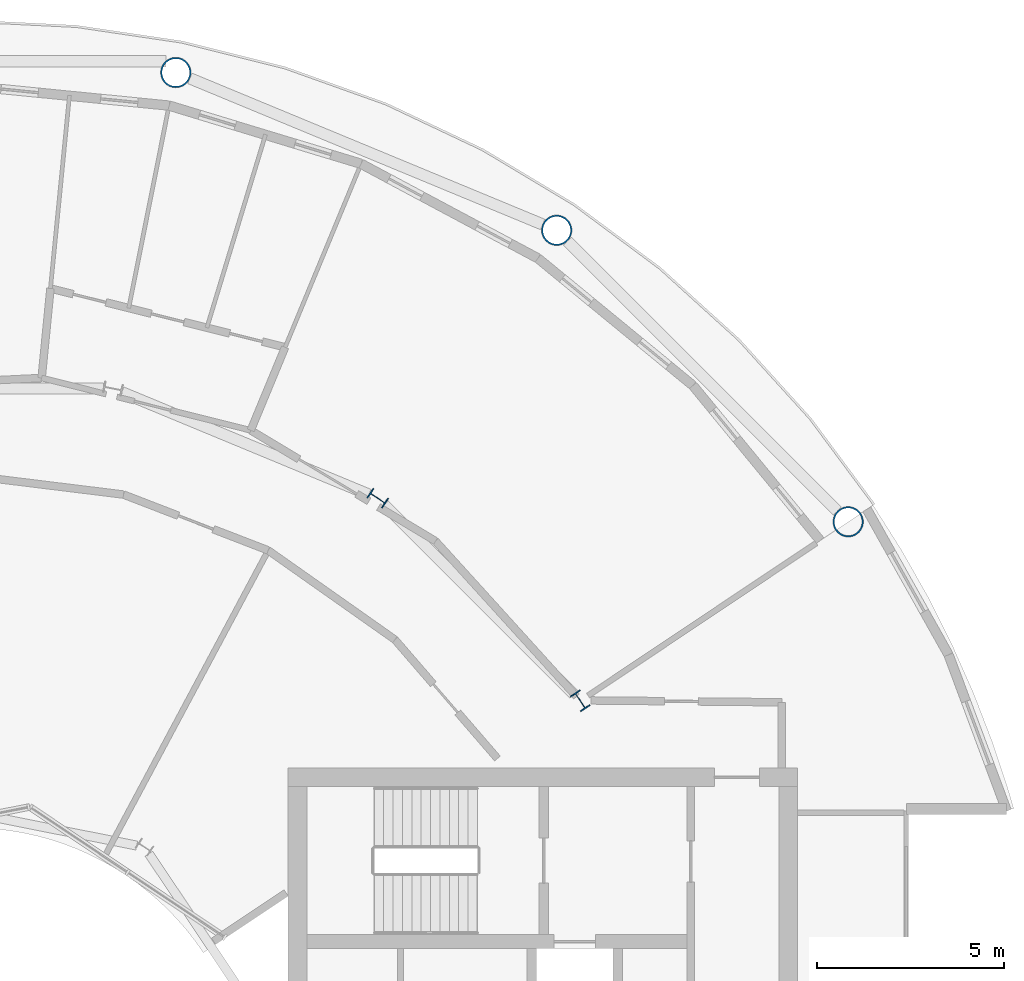
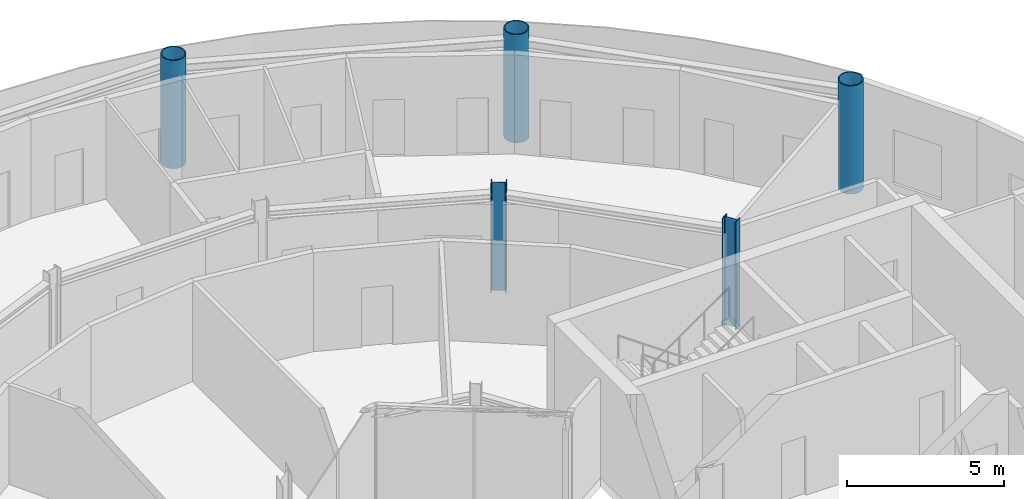
# One storey, part 4 of 21: 5 columns.
"""IFC4 building model written with IfcOpenShell, lengths in metres."""

from ifc_helpers import new_model, si_unit, direction, frame, origin, origin_2d, place, context, subcontext, project, spatial, hollow_circle, i_section, extrude, material, material_profile, profile_set, type_object, element, save


model = new_model("IFC4")

# Units and contexts
model_context = context("Model", 3, precision=1e-05, world=origin(), true_north=direction((0.0, 1.0)))
body_context = subcontext(model_context, "Body", "Model", "MODEL_VIEW")
ifc_project = project(units=[si_unit("LENGTHUNIT", "METRE"), si_unit("AREAUNIT", "SQUARE_METRE"), si_unit("VOLUMEUNIT", "CUBIC_METRE"), si_unit("PLANEANGLEUNIT", "RADIAN"), si_unit("MASSUNIT", "GRAM", prefix="KILO")], contexts=[model_context])

# Site, building, storey
site_placement = place(None, origin())
site = spatial("IfcSite", under=ifc_project, at=site_placement, CompositionType="ELEMENT")
building_placement = place(site_placement, origin())
building = spatial("IfcBuilding", under=site, at=building_placement, Name="Maasbend Ring Residences", CompositionType="ELEMENT")
storey_placement = place(building_placement, frame((0.0, 0.0, 157.39990234375)))
storey = spatial("IfcBuildingStorey", under=building, at=storey_placement, Name="L45", CompositionType="ELEMENT", Elevation=157.39990234375)

# Columns
ifc_material_1 = material(Name="Composite concrete-filled steel tube S460NH / C80/95", Category="concrete")
ifc_material_profile_1 = material_profile(ifc_material_1, hollow_circle(Radius=0.406494140625, WallThickness=0.0400390625, at=origin_2d()), Name="Composite tube column CHS 813x40")
ifc_profile_set_1 = profile_set([ifc_material_profile_1], Name="Composite concrete-filled steel tube S460NH / C80/95")
column_type_1 = type_object("IfcColumnType", Name="Composite tube column CHS 813x40", PredefinedType="COLUMN", material=ifc_profile_set_1)
for number, where, z_axis, x_axis, name in (
    (1, (23.447509765625, 15.6669921875, 0.0), (0.0, 0.0, 1.0), (1.0, 0.0, 0.0), "Outer column R2"),
    (2, (15.6669921875, 23.447509765625, 0.0), (0.0, 0.0, 1.0), (1.0, 0.0, 0.0), "Outer column R3"),
    (3, (5.50146484375, 27.658203125, 0.0), (0.0, 0.0, 1.0), (1.0, 0.0, 0.0), "Outer column R4"),
):
    element("IfcColumn", number, at=place(storey_placement, frame(where, z_axis=z_axis, x_axis=x_axis)), inside=storey, type_object=column_type_1, Name=name, PredefinedType="COLUMN", context=body_context, shape_type="SweptSolid", body=[
        extrude(hollow_circle(Radius=0.406494140625, WallThickness=0.0400390625, at=origin_2d()), origin(), (0.0, 0.0, 1.0), 4.2001953125),
    ])
ifc_material_2 = material(Name="Steel S355J2", Category="steel")
ifc_material_profile_2 = material_profile(ifc_material_2, i_section(OverallWidth=0.300048828125, OverallDepth=0.5, WebThickness=0.014404296875, FlangeThickness=0.028076171875, FilletRadius=0.027099609375, at=origin_2d()), Name="HEB 500")
ifc_profile_set_2 = profile_set([ifc_material_profile_2], Name="Steel S355J2")
column_type_2 = type_object("IfcColumnType", Name="Steel column HEB 500", PredefinedType="COLUMN", material=ifc_profile_set_2)
for number, where, z_axis, x_axis, name in (
    (4, (16.296875, 10.88916015625, 0.0), (0.0, 0.0, 1.0), (0.831469612303, 0.55557023302, 0.0), "Corridor ring column R2"),
    (5, (10.88916015625, 16.296875, 0.0), (0.0, 0.0, 1.0), (0.55557023302, 0.831469612303, 0.0), "Corridor ring column R3"),
):
    element("IfcColumn", number, at=place(storey_placement, frame(where, z_axis=z_axis, x_axis=x_axis)), inside=storey, type_object=column_type_2, Name=name, PredefinedType="COLUMN", context=body_context, shape_type="SweptSolid", body=[
        extrude(i_section(OverallWidth=0.300048828125, OverallDepth=0.5, WebThickness=0.014404296875, FlangeThickness=0.028076171875, FilletRadius=0.027099609375, at=origin_2d()), origin(), (0.0, 0.0, 1.0), 4.2001953125),
    ])

save(model, "model.ifc")
